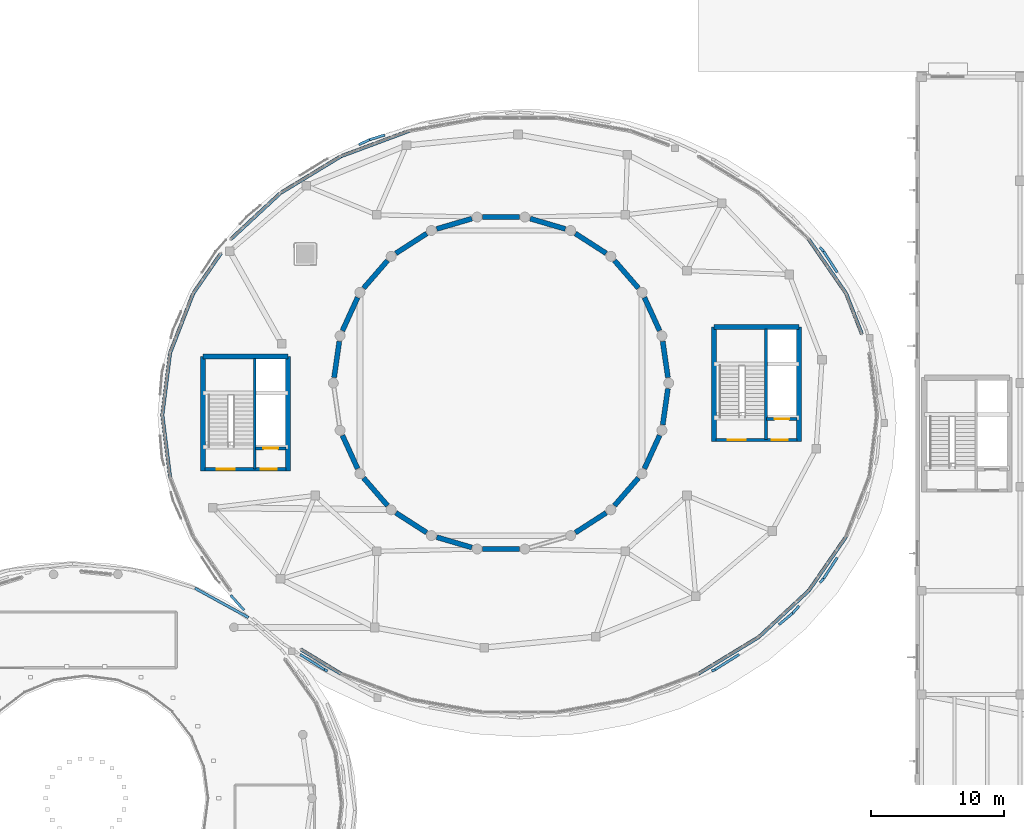
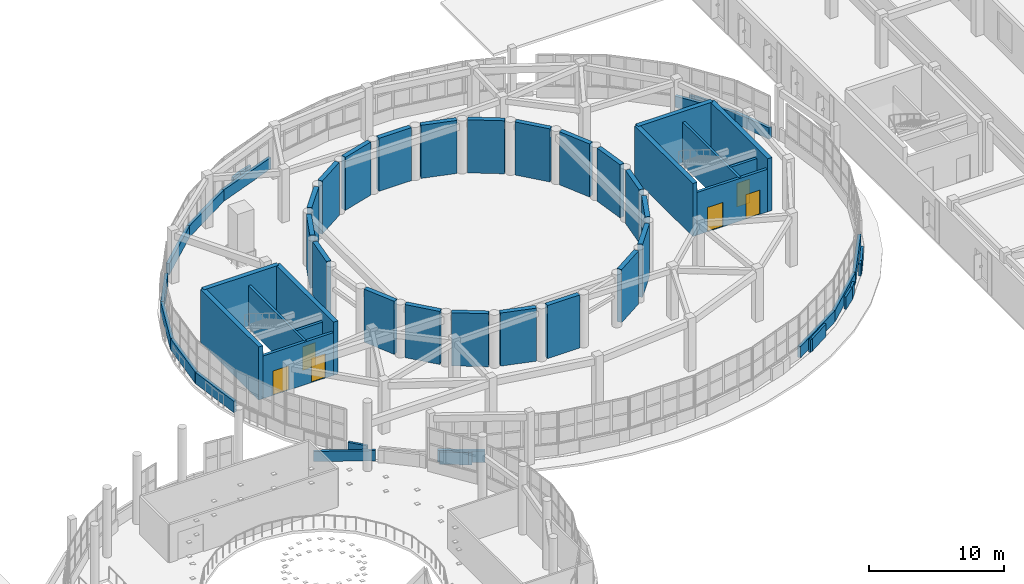
# One storey, part 92 of 105: 59 walls, 6 doors, 6 openings.
"""IFC4 building model written with IfcOpenShell, lengths in metres."""

from ifc_helpers import new_model, si_unit, direction, frame, frame_2d, origin, place, context, subcontext, project, spatial, rectangle, extrude, material, layer, layer_set, type_object, element, fill, save


model = new_model("IFC4")

# Units and contexts
model_context = context("Model", 3, precision=1e-05, world=origin(), true_north=direction((0.0, 1.0)))
body_context = subcontext(model_context, "Body", "Model", "MODEL_VIEW")
ifc_project = project(units=[si_unit("LENGTHUNIT", "METRE"), si_unit("AREAUNIT", "SQUARE_METRE"), si_unit("VOLUMEUNIT", "CUBIC_METRE"), si_unit("PLANEANGLEUNIT", "RADIAN"), si_unit("MASSUNIT", "GRAM", prefix="KILO")], contexts=[model_context])

# Site, building, storey
site_placement = place(None, origin())
site = spatial("IfcSite", under=ifc_project, at=site_placement, CompositionType="ELEMENT")
building_placement = place(site_placement, origin())
building = spatial("IfcBuilding", under=site, at=building_placement, Name="Pelvatis Terrace Science Centre", CompositionType="ELEMENT")
storey_placement = place(building_placement, frame((0.0, 0.0, 10.199951171875)))
storey = spatial("IfcBuildingStorey", under=building, at=storey_placement, Name="L02", CompositionType="ELEMENT", Elevation=10.199951171875)

# Walls
ifc_material_1 = material(Name="White architectural precast concrete C40/50 spandrel", Category="concrete")
ifc_layer_1 = layer(ifc_material_1, 0.260009765625)
ifc_layer_set_1 = layer_set([ifc_layer_1], Name="White architectural precast concrete C40/50 spandrel")
wall_type_1 = type_object("IfcWallType", Name="WL-EXT-SPND-260", PredefinedType="SOLIDWALL", material=ifc_layer_set_1)
wall_1_placement = place(storey_placement, frame((136.3076171875, 89.49755859375, 0.0), z_axis=(0.0, 0.0, 1.0), x_axis=(-0.362229060722, 0.932089109242, 0.0)))
element("IfcWall", 1, at=wall_1_placement, inside=storey, type_object=wall_type_1, Name="V1 white spiral spandrel band 02 (L02)", PredefinedType="SOLIDWALL", context=body_context, shape_type="SweptSolid", body=[
    extrude(rectangle(XDim=3.254638671875, YDim=0.260009765625, at=frame_2d((1.62744140625, 0.0))), origin(), (0.0, 0.0, 1.0), 1.02001953125),
])
wall_2_placement = place(storey_placement, frame((135.128662109375, 92.53125, 0.0), z_axis=(0.0, 0.0, 1.0), x_axis=(-0.568222593352, 0.822874889886, 0.0)))
element("IfcWall", 2, at=wall_2_placement, inside=storey, type_object=wall_type_1, Name="V1 white spiral spandrel band 03 (L02)", PredefinedType="SOLIDWALL", context=body_context, shape_type="SweptSolid", body=[
    extrude(rectangle(XDim=4.939453125, YDim=0.260009765625, at=frame_2d((2.4697265625, 0.0))), origin(), (0.0, 0.0, 1.0), 1.02001953125),
])
wall_3_placement = place(storey_placement, frame((102.302978515625, 104.751220703125, 0.0), z_axis=(0.0, 0.0, 1.0), x_axis=(-0.93716995164, -0.348873159964, 0.0)))
element("IfcWall", 3, at=wall_3_placement, inside=storey, type_object=wall_type_1, Name="V1 white spiral spandrel band 10 (L02)", PredefinedType="SOLIDWALL", context=body_context, shape_type="SweptSolid", body=[
    extrude(rectangle(XDim=5.4716796875, YDim=0.260009765625, at=frame_2d((2.73583984375, 0.0))), origin(), (0.0, 0.0, 1.0), 1.02001953125),
])
wall_4_placement = place(storey_placement, frame((97.175048828125, 102.84228515625, 0.0), z_axis=(0.0, 0.0, 1.0), x_axis=(-0.854654271652, -0.51919753076, 0.0)))
element("IfcWall", 4, at=wall_4_placement, inside=storey, type_object=wall_type_1, Name="V1 white spiral spandrel band 11 (L02)", PredefinedType="SOLIDWALL", context=body_context, shape_type="SweptSolid", body=[
    extrude(rectangle(XDim=5.3134765625, YDim=0.260009765625, at=frame_2d((2.65673828125, 0.0))), origin(), (0.0, 0.0, 1.0), 1.02001953125),
])
wall_5_placement = place(storey_placement, frame((92.6337890625, 100.08349609375, 0.0), z_axis=(0.0, 0.0, 1.0), x_axis=(-0.732773133444, -0.680473022906, 0.0)))
element("IfcWall", 5, at=wall_5_placement, inside=storey, type_object=wall_type_1, Name="V1 white spiral spandrel band 12 (L02)", PredefinedType="SOLIDWALL", context=body_context, shape_type="SweptSolid", body=[
    extrude(rectangle(XDim=5.12548828125, YDim=0.260009765625, at=frame_2d((2.562744140625, 0.0))), origin(), (0.0, 0.0, 1.0), 1.02001953125),
])
wall_6_placement = place(storey_placement, frame((88.16162109375, 95.55859375, 0.0), z_axis=(0.0, 0.0, 1.0), x_axis=(-0.568194996878, -0.82289394549, 0.0)))
element("IfcWall", 6, at=wall_6_placement, inside=storey, type_object=wall_type_1, Name="V1 white spiral spandrel band 13 (L02)", PredefinedType="SOLIDWALL", context=body_context, shape_type="SweptSolid", body=[
    extrude(rectangle(XDim=3.678955078125, YDim=0.260009765625, at=frame_2d((1.83935546875, 0.0))), origin(), (0.0, 0.0, 1.0), 1.02001953125),
])
wall_7_placement = place(storey_placement, frame((86.0712890625, 92.53125, 0.0), z_axis=(0.0, 0.0, 1.0), x_axis=(-0.362222370207, -0.932091709287, 0.0)))
element("IfcWall", 7, at=wall_7_placement, inside=storey, type_object=wall_type_1, Name="V1 white spiral spandrel band 14 (L02)", PredefinedType="SOLIDWALL", context=body_context, shape_type="SweptSolid", body=[
    extrude(rectangle(XDim=4.788818359375, YDim=0.260009765625, at=frame_2d((2.39453125, 0.0))), origin(), (0.0, 0.0, 1.0), 1.02001953125),
])
wall_8_placement = place(storey_placement, frame((84.336669921875, 88.067626953125, 0.0), z_axis=(0.0, 0.0, 1.0), x_axis=(-0.124705358335, -0.992193818567, 0.0)))
element("IfcWall", 8, at=wall_8_placement, inside=storey, type_object=wall_type_1, Name="V1 white spiral spandrel band 15 (L02)", PredefinedType="SOLIDWALL", context=body_context, shape_type="SweptSolid", body=[
    extrude(rectangle(XDim=4.704345703125, YDim=0.260009765625, at=frame_2d((2.35205078125, 0.0))), origin(), (0.0, 0.0, 1.0), 1.02001953125),
])
wall_9_placement = place(storey_placement, frame((83.75, 83.39990234375, 0.0), z_axis=(0.0, 0.0, 1.0), x_axis=(0.124711779816, -0.992193011452, 0.0)))
element("IfcWall", 9, at=wall_9_placement, inside=storey, type_object=wall_type_1, Name="V1 white spiral spandrel band 16 (L02)", PredefinedType="SOLIDWALL", context=body_context, shape_type="SweptSolid", body=[
    extrude(rectangle(XDim=4.7041015625, YDim=0.260009765625, at=frame_2d((2.35205078125, 0.0))), origin(), (0.0, 0.0, 1.0), 1.02001953125),
])
wall_10_placement = place(storey_placement, frame((94.157958984375, 65.79052734375, 0.0), z_axis=(0.0, 0.0, 1.0), x_axis=(0.854666963431, -0.519176638168, 0.0)))
element("IfcWall", 10, at=wall_10_placement, inside=storey, type_object=wall_type_1, Name="V1 white spiral spandrel band 20 (L02)", PredefinedType="SOLIDWALL", context=body_context, shape_type="SweptSolid", body=[
    extrude(rectangle(XDim=3.530029296875, YDim=0.260009765625, at=frame_2d((1.76513671875, 0.0))), origin(), (0.0, 0.0, 1.0), 1.02001953125),
])
wall_11_placement = place(storey_placement, frame((124.02490234375, 63.957763671875, 0.0), z_axis=(0.0, 0.0, 1.0), x_axis=(0.854674659603, 0.519163968542, 0.0)))
element("IfcWall", 11, at=wall_11_placement, inside=storey, type_object=wall_type_1, Name="V1 white spiral spandrel band 26 (L02)", PredefinedType="SOLIDWALL", context=body_context, shape_type="SweptSolid", body=[
    extrude(rectangle(XDim=5.3134765625, YDim=0.260009765625, at=frame_2d((2.65673828125, 0.0))), origin(), (0.0, 0.0, 1.0), 1.02001953125),
])
wall_12_placement = place(storey_placement, frame((128.566162109375, 66.71630859375, 0.0), z_axis=(0.0, 0.0, 1.0), x_axis=(0.732773133444, 0.680473022906, 0.0)))
element("IfcWall", 12, at=wall_12_placement, inside=storey, type_object=wall_type_1, Name="V1 white spiral spandrel band 27 (L02)", PredefinedType="SOLIDWALL", context=body_context, shape_type="SweptSolid", body=[
    extrude(rectangle(XDim=5.12548828125, YDim=0.260009765625, at=frame_2d((2.562744140625, 0.0))), origin(), (0.0, 0.0, 1.0), 1.02001953125),
])
wall_13_placement = place(storey_placement, frame((132.322021484375, 70.2041015625, 0.0), z_axis=(0.0, 0.0, 1.0), x_axis=(0.568199482785, 0.822890848025, 0.0)))
element("IfcWall", 13, at=wall_13_placement, inside=storey, type_object=wall_type_1, Name="V1 white spiral spandrel band 28 (L02)", PredefinedType="SOLIDWALL", context=body_context, shape_type="SweptSolid", body=[
    extrude(rectangle(XDim=4.939453125, YDim=0.260009765625, at=frame_2d((2.4697265625, 0.0))), origin(), (0.0, 0.0, 1.0), 1.02001953125),
])
ifc_material_2 = material(Name="Concrete C35/45 shaft dividing wall", Category="concrete")
ifc_layer_2 = layer(ifc_material_2, 0.2099609375)
ifc_layer_set_2 = layer_set([ifc_layer_2], Name="Concrete C35/45 shaft dividing wall")
wall_type_2 = type_object("IfcWallType", Name="WL-INT-CORE-210", PredefinedType="PARTITIONING", material=ifc_layer_set_2)
wall_14_placement = place(storey_placement, frame((90.699951171875, 79.35009765625, 0.0), z_axis=(0.0, 0.0, 1.0), x_axis=(0.0, 1.0, 0.0)))
element("IfcWall", 14, at=wall_14_placement, inside=storey, type_object=wall_type_2, Name="Core C1 stair-lift shaft fire wall (L02)", PredefinedType="PARTITIONING", context=body_context, shape_type="SweptSolid", body=[
    extrude(rectangle(XDim=8.2998046875, YDim=0.2099609375, at=frame_2d((4.14990234375, 0.0))), origin(), (0.0, 0.0, 1.0), 3.860107421875),
])
wall_15_placement = place(storey_placement, frame((129.10009765625, 81.550048828125, 0.0), z_axis=(0.0, 0.0, 1.0), x_axis=(0.0, 1.0, 0.0)))
element("IfcWall", 15, at=wall_15_placement, inside=storey, type_object=wall_type_2, Name="Core C2 stair-lift shaft fire wall (L02)", PredefinedType="PARTITIONING", context=body_context, shape_type="SweptSolid", body=[
    extrude(rectangle(XDim=8.300048828125, YDim=0.2099609375, at=frame_2d((4.14990234375, 0.0))), origin(), (0.0, 0.0, 1.0), 3.860107421875),
])

# Wall, opening, door
ifc_material_3 = material(Name="Concrete C35/45 stair enclosure wall", Category="concrete")
ifc_layer_3 = layer(ifc_material_3, 0.22509765625)
ifc_layer_set_3 = layer_set([ifc_layer_3], Name="Concrete C35/45 stair enclosure wall")
wall_type_3 = type_object("IfcWallType", Name="WL-INT-CORE-225", PredefinedType="PARTITIONING", material=ifc_layer_set_3)
wall_16_placement = place(storey_placement, frame((90.75, 80.89990234375, 0.0), z_axis=(0.0, 0.0, 1.0), x_axis=(1.0, 0.0, 0.0)))
wall_16 = element("IfcWall", 16, at=wall_16_placement, inside=storey, type_object=wall_type_3, Name="Core C1 lift shaft landing wall (L02)", PredefinedType="PARTITIONING", context=body_context, shape_type="SweptSolid", body=[
    extrude(rectangle(XDim=2.300048828125, YDim=0.22509765625, at=frame_2d((1.14990234375, 0.0))), origin(), (0.0, 0.0, 1.0), 3.860107421875),
])
opening_1_placement = place(wall_16_placement, frame((0.60009765625, 0.0, 0.0)))
opening_1 = element("IfcOpeningElement", 17, at=opening_1_placement, cuts=wall_16, Name="Opening LD-C1-4", PredefinedType="OPENING", context=body_context, shape_type="SweptSolid", body=[
    extrude(rectangle(XDim=1.10009765625, YDim=2.14990234375, at=frame_2d((0.550048828125, 1.074951171875))), frame((0.0, 0.12255859375, 0.0), z_axis=(0.0, -1.0, 0.0), x_axis=(1.0, 0.0, 0.0)), (0.0, 0.0, 1.0), 0.2451171875),
])
ifc_material_4 = material(Name="Stainless steel sliding fire-fighting lift landing door", Category="steel")
door_type_1 = type_object("IfcDoorType", Name="DR-LIFT-1100x2150", OperationType="NOTDEFINED", PredefinedType="DOOR", material=ifc_material_4)
door_1_placement = place(opening_1_placement, origin())
door_1 = element("IfcDoor", 18, at=door_1_placement, inside=storey, type_object=door_type_1, Name="Lift LF-01 sliding landing door (L02)", OperationType="SLIDING_TO_RIGHT", OverallHeight=2.14990234375, OverallWidth=1.10009765625, PredefinedType="DOOR", context=body_context, shape_type="SweptSolid", body=[
    extrude(rectangle(XDim=1.10009765625, YDim=2.14990234375, at=frame_2d((0.550048828125, 1.074951171875))), frame((0.0, 0.02490234375, 0.0), z_axis=(0.0, -1.0, 0.0), x_axis=(1.0, 0.0, 0.0)), (0.0, 0.0, 1.0), 0.050048828125),
])
fill(opening_1, door_1)

wall_17_placement = place(storey_placement, frame((129.14990234375, 83.10009765625, 0.0), z_axis=(0.0, 0.0, 1.0), x_axis=(1.0, 0.0, 0.0)))
wall_17 = element("IfcWall", 19, at=wall_17_placement, inside=storey, type_object=wall_type_3, Name="Core C2 lift shaft landing wall (L02)", PredefinedType="PARTITIONING", context=body_context, shape_type="SweptSolid", body=[
    extrude(rectangle(XDim=2.300048828125, YDim=0.22509765625, at=frame_2d((1.14990234375, 0.0))), origin(), (0.0, 0.0, 1.0), 3.860107421875),
])
opening_2_placement = place(wall_17_placement, frame((0.60009765625, 0.0, 0.0)))
opening_2 = element("IfcOpeningElement", 20, at=opening_2_placement, cuts=wall_17, Name="Opening LD-C2-4", PredefinedType="OPENING", context=body_context, shape_type="SweptSolid", body=[
    extrude(rectangle(XDim=1.10009765625, YDim=2.14990234375, at=frame_2d((0.550048828125, 1.074951171875))), frame((0.0, 0.12255859375, 0.0), z_axis=(0.0, -1.0, 0.0), x_axis=(1.0, 0.0, 0.0)), (0.0, 0.0, 1.0), 0.2451171875),
])
door_2_placement = place(opening_2_placement, origin())
door_2 = element("IfcDoor", 21, at=door_2_placement, inside=storey, type_object=door_type_1, Name="Lift LF-02 sliding landing door (L02)", OperationType="SLIDING_TO_RIGHT", OverallHeight=2.14990234375, OverallWidth=1.10009765625, PredefinedType="DOOR", context=body_context, shape_type="SweptSolid", body=[
    extrude(rectangle(XDim=1.10009765625, YDim=2.14990234375, at=frame_2d((0.550048828125, 1.074951171875))), frame((0.0, 0.02490234375, 0.0), z_axis=(0.0, -1.0, 0.0), x_axis=(1.0, 0.0, 0.0)), (0.0, 0.0, 1.0), 0.050048828125),
])
fill(opening_2, door_2)

# Wall, openings, doors
ifc_material_5 = material(Name="Concrete C35/45 shaft enclosure wall", Category="concrete")
ifc_layer_4 = layer(ifc_material_5, 0.239990234375)
ifc_layer_set_4 = layer_set([ifc_layer_4], Name="Concrete C35/45 shaft enclosure wall")
wall_type_4 = type_object("IfcWallType", Name="WL-INT-CORE-240", PredefinedType="PARTITIONING", material=ifc_layer_set_4)
wall_18_placement = place(storey_placement, frame((86.949951171875, 79.320068359375, 0.0), z_axis=(0.0, 0.0, 1.0), x_axis=(1.0, 0.0, 0.0)))
wall_18 = element("IfcWall", 22, at=wall_18_placement, inside=storey, type_object=wall_type_4, Name="Core C1 fire-rated lobby wall (L02)", PredefinedType="PARTITIONING", context=body_context, shape_type="SweptSolid", body=[
    extrude(rectangle(XDim=6.10009765625, YDim=0.239990234375, at=frame_2d((3.050048828125, 0.0))), origin(), (0.0, 0.0, 1.0), 3.860107421875),
])
opening_3_placement = place(wall_18_placement, frame((0.89990234375, 0.0, 0.0)))
opening_3 = element("IfcOpeningElement", 23, at=opening_3_placement, cuts=wall_18, Name="Opening D-107", PredefinedType="OPENING", context=body_context, shape_type="SweptSolid", body=[
    extrude(rectangle(XDim=1.35009765625, YDim=2.199951171875, at=frame_2d((0.675048828125, 1.10009765625))), frame((0.0, 0.1298828125, 0.0), z_axis=(0.0, -1.0, 0.0), x_axis=(1.0, 0.0, 0.0)), (0.0, 0.0, 1.0), 0.260009765625),
])
opening_4_placement = place(wall_18_placement, frame((4.199951171875, 0.0, 0.0)))
opening_4 = element("IfcOpeningElement", 24, at=opening_4_placement, cuts=wall_18, Name="Opening D-108", PredefinedType="OPENING", context=body_context, shape_type="SweptSolid", body=[
    extrude(rectangle(XDim=1.199951171875, YDim=2.199951171875, at=frame_2d((0.60009765625, 1.10009765625))), frame((0.0, 0.1298828125, 0.0), z_axis=(0.0, -1.0, 0.0), x_axis=(1.0, 0.0, 0.0)), (0.0, 0.0, 1.0), 0.260009765625),
])
ifc_material_6 = material(Name="Steel fire-rated exit stair door", Category="steel")
door_type_2 = type_object("IfcDoorType", Name="DR-STAIR-1200x2200", OperationType="NOTDEFINED", PredefinedType="DOOR", material=ifc_material_6)
door_3_placement = place(opening_4_placement, origin())
door_3 = element("IfcDoor", 25, at=door_3_placement, inside=storey, type_object=door_type_2, Name="Core C1 lift lobby fire door (L02)", OperationType="SINGLE_SWING_LEFT", OverallHeight=2.199951171875, OverallWidth=1.199951171875, PredefinedType="DOOR", context=body_context, shape_type="SweptSolid", body=[
    extrude(rectangle(XDim=1.199951171875, YDim=2.199951171875, at=frame_2d((0.60009765625, 1.10009765625))), frame((0.0, 0.02490234375, 0.0), z_axis=(0.0, -1.0, 0.0), x_axis=(1.0, 0.0, 0.0)), (0.0, 0.0, 1.0), 0.050048828125),
])
fill(opening_4, door_3)
ifc_material_7 = material(Name="Steel fire-rated protected stair door", Category="steel")
door_type_3 = type_object("IfcDoorType", Name="DR-STAIR-1350x2200", OperationType="NOTDEFINED", PredefinedType="DOOR", material=ifc_material_7)
door_4_placement = place(opening_3_placement, origin())
door_4 = element("IfcDoor", 26, at=door_4_placement, inside=storey, type_object=door_type_3, Name="Core C1 protected stair fire door (L02)", OperationType="SINGLE_SWING_RIGHT", OverallHeight=2.199951171875, OverallWidth=1.35009765625, PredefinedType="DOOR", context=body_context, shape_type="SweptSolid", body=[
    extrude(rectangle(XDim=1.35009765625, YDim=2.199951171875, at=frame_2d((0.675048828125, 1.10009765625))), frame((0.0, 0.02490234375, 0.0), z_axis=(0.0, -1.0, 0.0), x_axis=(1.0, 0.0, 0.0)), (0.0, 0.0, 1.0), 0.050048828125),
])
fill(opening_3, door_4)

wall_19_placement = place(storey_placement, frame((125.35009765625, 81.52001953125, 0.0), z_axis=(0.0, 0.0, 1.0), x_axis=(1.0, 0.0, 0.0)))
wall_19 = element("IfcWall", 27, at=wall_19_placement, inside=storey, type_object=wall_type_4, Name="Core C2 fire-rated lobby wall (L02)", PredefinedType="PARTITIONING", context=body_context, shape_type="SweptSolid", body=[
    extrude(rectangle(XDim=6.099853515625, YDim=0.239990234375, at=frame_2d((3.0498046875, 0.0))), origin(), (0.0, 0.0, 1.0), 3.860107421875),
])
opening_5_placement = place(wall_19_placement, frame((0.89990234375, 0.0, 0.0)))
opening_5 = element("IfcOpeningElement", 28, at=opening_5_placement, cuts=wall_19, Name="Opening D-121", PredefinedType="OPENING", context=body_context, shape_type="SweptSolid", body=[
    extrude(rectangle(XDim=1.35009765625, YDim=2.199951171875, at=frame_2d((0.675048828125, 1.10009765625))), frame((0.0, 0.1298828125, 0.0), z_axis=(0.0, -1.0, 0.0), x_axis=(1.0, 0.0, 0.0)), (0.0, 0.0, 1.0), 0.260009765625),
])
opening_6_placement = place(wall_19_placement, frame((4.199951171875, 0.0, 0.0)))
opening_6 = element("IfcOpeningElement", 29, at=opening_6_placement, cuts=wall_19, Name="Opening D-122", PredefinedType="OPENING", context=body_context, shape_type="SweptSolid", body=[
    extrude(rectangle(XDim=1.199951171875, YDim=2.199951171875, at=frame_2d((0.60009765625, 1.10009765625))), frame((0.0, 0.1298828125, 0.0), z_axis=(0.0, -1.0, 0.0), x_axis=(1.0, 0.0, 0.0)), (0.0, 0.0, 1.0), 0.260009765625),
])
door_5_placement = place(opening_6_placement, origin())
door_5 = element("IfcDoor", 30, at=door_5_placement, inside=storey, type_object=door_type_2, Name="Core C2 lift lobby fire door (L02)", OperationType="SINGLE_SWING_LEFT", OverallHeight=2.199951171875, OverallWidth=1.199951171875, PredefinedType="DOOR", context=body_context, shape_type="SweptSolid", body=[
    extrude(rectangle(XDim=1.199951171875, YDim=2.199951171875, at=frame_2d((0.60009765625, 1.10009765625))), frame((0.0, 0.02490234375, 0.0), z_axis=(0.0, -1.0, 0.0), x_axis=(1.0, 0.0, 0.0)), (0.0, 0.0, 1.0), 0.050048828125),
])
fill(opening_6, door_5)
door_6_placement = place(opening_5_placement, origin())
door_6 = element("IfcDoor", 31, at=door_6_placement, inside=storey, type_object=door_type_3, Name="Core C2 protected stair fire door (L02)", OperationType="SINGLE_SWING_RIGHT", OverallHeight=2.199951171875, OverallWidth=1.35009765625, PredefinedType="DOOR", context=body_context, shape_type="SweptSolid", body=[
    extrude(rectangle(XDim=1.35009765625, YDim=2.199951171875, at=frame_2d((0.675048828125, 1.10009765625))), frame((0.0, 0.02490234375, 0.0), z_axis=(0.0, -1.0, 0.0), x_axis=(1.0, 0.0, 0.0)), (0.0, 0.0, 1.0), 0.050048828125),
])
fill(opening_5, door_6)

# Walls
ifc_material_8 = material(Name="White architectural precast concrete C40/50 spandrel parapet", Category="concrete")
ifc_layer_5 = layer(ifc_material_8, 0.18994140625)
ifc_layer_set_5 = layer_set([ifc_layer_5], Name="White architectural precast concrete C40/50 spandrel parapet")
wall_type_5 = type_object("IfcWallType", Name="WL-PAR-190", PredefinedType="PARAPET", material=ifc_layer_set_5)
wall_20_placement = place(storey_placement, frame((98.52197265625, 103.71728515625, 0.0), z_axis=(0.0, 0.0, 1.0), x_axis=(0.909318572974, 0.416100628268, 0.0)))
element("IfcWall", 32, at=wall_20_placement, inside=storey, type_object=wall_type_5, Name="Perimeter edge closure parapet PW-EDG-L02-253", PredefinedType="PARAPET", context=body_context, shape_type="SweptSolid", body=[
    extrude(rectangle(XDim=0.880126953125, YDim=0.18994140625, at=frame_2d((0.43994140625, 0.0))), origin(), (0.0, 0.0, 1.0), 1.1201171875),
])
wall_21_placement = place(storey_placement, frame((99.322265625, 104.08349609375, 0.0), z_axis=(0.0, 0.0, 1.0), x_axis=(0.954469129989, 0.298309704668, 0.0)))
element("IfcWall", 33, at=wall_21_placement, inside=storey, type_object=wall_type_5, Name="Perimeter edge closure parapet PW-EDG-L02-254", PredefinedType="PARAPET", context=body_context, shape_type="SweptSolid", body=[
    extrude(rectangle(XDim=1.201416015625, YDim=0.18994140625, at=frame_2d((0.6005859375, 0.0))), origin(), (0.0, 0.0, 1.0), 1.1201171875),
])
wall_22_placement = place(storey_placement, frame((133.163330078125, 95.993408203125, 0.0), z_axis=(0.0, 0.0, 1.0), x_axis=(0.666075390679, -0.745884423977, 0.0)))
element("IfcWall", 34, at=wall_22_placement, inside=storey, type_object=wall_type_5, Name="Perimeter edge closure parapet PW-EDG-L02-265", PredefinedType="PARAPET", context=body_context, shape_type="SweptSolid", body=[
    extrude(rectangle(XDim=0.40673828125, YDim=0.18994140625, at=frame_2d((0.203369140625, 0.0))), origin(), (0.0, 0.0, 1.0), 1.1201171875),
])
for number, where, z_axis, x_axis, name in (
    (35, (133.434326171875, 95.68994140625, 0.0), (0.0, 0.0, 1.0), (0.545874943644, -0.837866663558, 0.0), "Perimeter edge closure parapet PW-EDG-L02-266"),
    (36, (134.458984375, 72.682861328125, 0.0), (0.0, 0.0, 1.0), (-0.545874943644, -0.837866663558, 0.0), "Perimeter edge closure parapet PW-EDG-L02-275"),
):
    element("IfcWall", number, at=place(storey_placement, frame(where, z_axis=z_axis, x_axis=x_axis)), inside=storey, type_object=wall_type_5, Name=name, PredefinedType="PARAPET", context=body_context, shape_type="SweptSolid", body=[
        extrude(rectangle(XDim=1.877197265625, YDim=0.18994140625, at=frame_2d((0.9384765625, 0.0))), origin(), (0.0, 0.0, 1.0), 1.1201171875),
    ])
wall_23_placement = place(storey_placement, frame((133.434326171875, 71.110107421875, 0.0), z_axis=(0.0, 0.0, 1.0), x_axis=(-0.666075390679, -0.745884423977, 0.0)))
element("IfcWall", 37, at=wall_23_placement, inside=storey, type_object=wall_type_5, Name="Perimeter edge closure parapet PW-EDG-L02-276", PredefinedType="PARAPET", context=body_context, shape_type="SweptSolid", body=[
    extrude(rectangle(XDim=0.40673828125, YDim=0.18994140625, at=frame_2d((0.203369140625, 0.0))), origin(), (0.0, 0.0, 1.0), 1.1201171875),
])
wall_24_placement = place(storey_placement, frame((131.60009765625, 69.05615234375, 0.0), z_axis=(0.0, 0.0, 1.0), x_axis=(-0.666128902502, -0.745836634426, 0.0)))
element("IfcWall", 38, at=wall_24_placement, inside=storey, type_object=wall_type_5, Name="Perimeter edge closure parapet PW-EDG-L02-277", PredefinedType="PARAPET", context=body_context, shape_type="SweptSolid", body=[
    extrude(rectangle(XDim=0.72900390625, YDim=0.18994140625, at=frame_2d((0.364501953125, 0.0))), origin(), (0.0, 0.0, 1.0), 1.1201171875),
])
wall_25_placement = place(storey_placement, frame((131.114501953125, 68.512451171875, 0.0), z_axis=(0.0, 0.0, 1.0), x_axis=(-0.766261000546, -0.64252943827, 0.0)))
element("IfcWall", 39, at=wall_25_placement, inside=storey, type_object=wall_type_5, Name="Perimeter edge closure parapet PW-EDG-L02-278", PredefinedType="PARAPET", context=body_context, shape_type="SweptSolid", body=[
    extrude(rectangle(XDim=1.33984375, YDim=0.18994140625, at=frame_2d((0.669921875, 0.0))), origin(), (0.0, 0.0, 1.0), 1.1201171875),
])
wall_26_placement = place(storey_placement, frame((127.092529296875, 65.41162109375, 0.0), z_axis=(0.0, 0.0, 1.0), x_axis=(-0.847030714317, -0.531543948328, 0.0)))
element("IfcWall", 40, at=wall_26_placement, inside=storey, type_object=wall_type_5, Name="Perimeter edge closure parapet PW-EDG-L02-279", PredefinedType="PARAPET", context=body_context, shape_type="SweptSolid", body=[
    extrude(rectangle(XDim=2.1435546875, YDim=0.18994140625, at=frame_2d((1.07177734375, 0.0))), origin(), (0.0, 0.0, 1.0), 1.1201171875),
])
for number, where, z_axis, x_axis, name in (
    (41, (125.27685546875, 64.272216796875, 0.0), (0.0, 0.0, 1.0), (-0.909612833814, -0.415456968362, 0.0), "Perimeter edge closure parapet PW-EDG-L02-280"),
    (42, (96.165771484375, 64.161376953125, 0.0), (0.0, 0.0, 1.0), (-0.909612833814, 0.415456968362, 0.0), "Perimeter edge closure parapet PW-EDG-L02-289"),
):
    element("IfcWall", number, at=place(storey_placement, frame(where, z_axis=z_axis, x_axis=x_axis)), inside=storey, type_object=wall_type_5, Name=name, PredefinedType="PARAPET", context=body_context, shape_type="SweptSolid", body=[
        extrude(rectangle(XDim=0.266845703125, YDim=0.18994140625, at=frame_2d((0.13330078125, 0.0))), origin(), (0.0, 0.0, 1.0), 1.1201171875),
    ])
wall_27_placement = place(storey_placement, frame((95.923095703125, 64.272216796875, 0.0), z_axis=(0.0, 0.0, 1.0), x_axis=(-0.847010554562, 0.53157607213, 0.0)))
element("IfcWall", 43, at=wall_27_placement, inside=storey, type_object=wall_type_5, Name="Perimeter edge closure parapet PW-EDG-L02-290", PredefinedType="PARAPET", context=body_context, shape_type="SweptSolid", body=[
    extrude(rectangle(XDim=2.1416015625, YDim=0.18994140625, at=frame_2d((1.07080078125, 0.0))), origin(), (0.0, 0.0, 1.0), 1.1201171875),
])
wall_28_placement = place(storey_placement, frame((89.88525390625, 68.73681640625, 0.0), z_axis=(0.0, 0.0, 1.0), x_axis=(-0.66615173115, 0.745816244853, 0.0)))
element("IfcWall", 44, at=wall_28_placement, inside=storey, type_object=wall_type_5, Name="Perimeter edge closure parapet PW-EDG-L02-293", PredefinedType="PARAPET", context=body_context, shape_type="SweptSolid", body=[
    extrude(rectangle(XDim=1.49853515625, YDim=0.18994140625, at=frame_2d((0.749267578125, 0.0))), origin(), (0.0, 0.0, 1.0), 1.1201171875),
])
ifc_material_9 = material(Name="White architectural precast concrete C40/50 spandrel parapet", Category="concrete")
ifc_layer_6 = layer(ifc_material_9, 0.205078125)
ifc_layer_set_6 = layer_set([ifc_layer_6], Name="White architectural precast concrete C40/50 spandrel parapet")
wall_type_6 = type_object("IfcWallType", Name="WL-PAR-205", PredefinedType="PARAPET", material=ifc_layer_set_6)
wall_29_placement = place(storey_placement, frame((90.23046875, 68.179443359375, 0.0), z_axis=(0.0, 0.0, 1.0), x_axis=(-0.876799384048, 0.480856361227, 0.0)))
element("IfcWall", 45, at=wall_29_placement, inside=storey, type_object=wall_type_6, Name="White spiral ring parapet PW-CRV-L02-099", PredefinedType="PARAPET", context=body_context, shape_type="SweptSolid", body=[
    extrude(rectangle(XDim=4.5888671875, YDim=0.205078125, at=frame_2d((2.29443359375, 0.0))), origin(), (0.0, 0.0, 1.0), 0.920166015625),
])
ifc_material_10 = material(Name="Concrete C40/50", Category="concrete")
ifc_layer_7 = layer(ifc_material_10, 0.3798828125)
ifc_layer_set_7 = layer_set([ifc_layer_7], Name="Concrete C40/50")
wall_type_7 = type_object("IfcWallType", Name="WL-SHR-380", PredefinedType="SHEAR", material=ifc_layer_set_7)
wall_30_placement = place(storey_placement, frame((86.800048828125, 87.800048828125, 0.0), z_axis=(0.0, 0.0, 1.0), x_axis=(1.0, 0.0, 0.0)))
element("IfcWall", 46, at=wall_30_placement, inside=storey, type_object=wall_type_7, Name="Core C1 shear wall N (L02)", PredefinedType="SHEAR", context=body_context, shape_type="SweptSolid", body=[
    extrude(rectangle(XDim=6.39990234375, YDim=0.3798828125, at=frame_2d((3.199951171875, 0.0))), origin(), (0.0, 0.0, 1.0), 4.800048828125),
])
for number, where, z_axis, x_axis, name in (
    (47, (86.800048828125, 79.199951171875, 0.0), (0.0, 0.0, 1.0), (0.0, 1.0, 0.0), "Core C1 shear wall W (L02)"),
    (48, (93.199951171875, 79.199951171875, 0.0), (0.0, 0.0, 1.0), (0.0, 1.0, 0.0), "Core C1 shear wall E (L02)"),
):
    element("IfcWall", number, at=place(storey_placement, frame(where, z_axis=z_axis, x_axis=x_axis)), inside=storey, type_object=wall_type_7, Name=name, PredefinedType="SHEAR", context=body_context, shape_type="SweptSolid", body=[
        extrude(rectangle(XDim=8.60009765625, YDim=0.3798828125, at=frame_2d((4.300048828125, 0.0))), origin(), (0.0, 0.0, 1.0), 4.800048828125),
    ])
wall_31_placement = place(storey_placement, frame((125.199951171875, 90.0, 0.0), z_axis=(0.0, 0.0, 1.0), x_axis=(1.0, 0.0, 0.0)))
element("IfcWall", 49, at=wall_31_placement, inside=storey, type_object=wall_type_7, Name="Core C2 shear wall N (L02)", PredefinedType="SHEAR", context=body_context, shape_type="SweptSolid", body=[
    extrude(rectangle(XDim=6.400146484375, YDim=0.3798828125, at=frame_2d((3.2001953125, 0.0))), origin(), (0.0, 0.0, 1.0), 4.800048828125),
])
for number, where, z_axis, x_axis, name in (
    (50, (125.199951171875, 81.39990234375, 0.0), (0.0, 0.0, 1.0), (0.0, 1.0, 0.0), "Core C2 shear wall W (L02)"),
    (51, (131.60009765625, 81.39990234375, 0.0), (0.0, 0.0, 1.0), (0.0, 1.0, 0.0), "Core C2 shear wall E (L02)"),
):
    element("IfcWall", number, at=place(storey_placement, frame(where, z_axis=z_axis, x_axis=x_axis)), inside=storey, type_object=wall_type_7, Name=name, PredefinedType="SHEAR", context=body_context, shape_type="SweptSolid", body=[
        extrude(rectangle(XDim=8.60009765625, YDim=0.3798828125, at=frame_2d((4.300048828125, 0.0))), origin(), (0.0, 0.0, 1.0), 4.800048828125),
    ])
for number, where, z_axis, x_axis, name in (
    (52, (121.740234375, 86.2158203125, 0.0), (0.0, 0.0, 1.0), (-0.142329860809, 0.98981928185, 0.0), "Planetarium shear drum wall 01 (L02)"),
    (53, (121.114990234375, 89.731689453125, 0.0), (0.0, 0.0, 1.0), (-0.415322734661, 0.909674131804, 0.0), "Planetarium shear drum wall 02 (L02)"),
    (54, (119.52490234375, 92.929443359375, 0.0), (0.0, 0.0, 1.0), (-0.654903462799, 0.755712547476, 0.0), "Planetarium shear drum wall 03 (L02)"),
):
    element("IfcWall", number, at=place(storey_placement, frame(where, z_axis=z_axis, x_axis=x_axis)), inside=storey, type_object=wall_type_7, Name=name, PredefinedType="SHEAR", context=body_context, shape_type="SweptSolid", body=[
        extrude(rectangle(XDim=2.746337890625, YDim=0.3798828125, at=frame_2d((1.373046875, 0.0))), origin(), (0.0, 0.0, 1.0), 4.800048828125),
    ])
wall_32_placement = place(storey_placement, frame((117.097900390625, 95.549560546875, 0.0), z_axis=(0.0, 0.0, 1.0), x_axis=(-0.841273782563, 0.54060930696, 0.0)))
element("IfcWall", 55, at=wall_32_placement, inside=storey, type_object=wall_type_7, Name="Planetarium shear drum wall 04 (L02)", PredefinedType="SHEAR", context=body_context, shape_type="SweptSolid", body=[
    extrude(rectangle(XDim=2.74609375, YDim=0.3798828125, at=frame_2d((1.373046875, 0.0))), origin(), (0.0, 0.0, 1.0), 4.800048828125),
])
for number, where, z_axis, x_axis, name in (
    (56, (114.03125, 97.379638671875, 0.0), (0.0, 0.0, 1.0), (-0.959471601157, 0.281805334538, 0.0), "Planetarium shear drum wall 05 (L02)"),
    (57, (110.5732421875, 98.271728515625, 0.0), (0.0, 0.0, 1.0), (-1.0, 0.0, 0.0), "Planetarium shear drum wall 06 (L02)"),
    (58, (107.00390625, 98.153564453125, 0.0), (0.0, 0.0, 1.0), (-0.959471601157, -0.281805334538, 0.0), "Planetarium shear drum wall 07 (L02)"),
    (59, (103.612548828125, 97.0341796875, 0.0), (0.0, 0.0, 1.0), (-0.841299761826, -0.540568876972, 0.0), "Planetarium shear drum wall 08 (L02)"),
    (60, (100.673828125, 95.0048828125, 0.0), (0.0, 0.0, 1.0), (-0.654903462799, -0.755712547476, 0.0), "Planetarium shear drum wall 09 (L02)"),
    (61, (98.42578125, 92.22998046875, 0.0), (0.0, 0.0, 1.0), (-0.415396292762, -0.909640544369, 0.0), "Planetarium shear drum wall 10 (L02)"),
):
    element("IfcWall", number, at=place(storey_placement, frame(where, z_axis=z_axis, x_axis=x_axis)), inside=storey, type_object=wall_type_7, Name=name, PredefinedType="SHEAR", context=body_context, shape_type="SweptSolid", body=[
        extrude(rectangle(XDim=2.746337890625, YDim=0.3798828125, at=frame_2d((1.373046875, 0.0))), origin(), (0.0, 0.0, 1.0), 4.800048828125),
    ])
wall_33_placement = place(storey_placement, frame((97.050537109375, 88.93408203125, 0.0), z_axis=(0.0, 0.0, 1.0), x_axis=(-0.142242759485, -0.989831802568, 0.0)))
element("IfcWall", 62, at=wall_33_placement, inside=storey, type_object=wall_type_7, Name="Planetarium shear drum wall 11 (L02)", PredefinedType="SHEAR", context=body_context, shape_type="SweptSolid", body=[
    extrude(rectangle(XDim=2.74609375, YDim=0.3798828125, at=frame_2d((1.373046875, 0.0))), origin(), (0.0, 0.0, 1.0), 4.800048828125),
])
for number, where, z_axis, x_axis, name in (
    (63, (97.284912109375, 81.8681640625, 0.0), (0.0, 0.0, 1.0), (0.415396292762, -0.909640544369, 0.0), "Planetarium shear drum wall 13 (L02)"),
    (64, (98.875244140625, 78.67041015625, 0.0), (0.0, 0.0, 1.0), (0.654903462799, -0.755712547476, 0.0), "Planetarium shear drum wall 14 (L02)"),
):
    element("IfcWall", number, at=place(storey_placement, frame(where, z_axis=z_axis, x_axis=x_axis)), inside=storey, type_object=wall_type_7, Name=name, PredefinedType="SHEAR", context=body_context, shape_type="SweptSolid", body=[
        extrude(rectangle(XDim=2.746337890625, YDim=0.3798828125, at=frame_2d((1.373046875, 0.0))), origin(), (0.0, 0.0, 1.0), 4.800048828125),
    ])
wall_34_placement = place(storey_placement, frame((101.302001953125, 76.050537109375, 0.0), z_axis=(0.0, 0.0, 1.0), x_axis=(0.841259333828, -0.540631790822, 0.0)))
element("IfcWall", 65, at=wall_34_placement, inside=storey, type_object=wall_type_7, Name="Planetarium shear drum wall 15 (L02)", PredefinedType="SHEAR", context=body_context, shape_type="SweptSolid", body=[
    extrude(rectangle(XDim=2.74658203125, YDim=0.3798828125, at=frame_2d((1.373291015625, 0.0))), origin(), (0.0, 0.0, 1.0), 4.800048828125),
])
for number, where, z_axis, x_axis, name in (
    (66, (104.368896484375, 74.22021484375, 0.0), (0.0, 0.0, 1.0), (0.959495634771, -0.281723493615, 0.0), "Planetarium shear drum wall 16 (L02)"),
    (67, (107.826904296875, 73.328125, 0.0), (0.0, 0.0, 1.0), (1.0, 0.0, 0.0), "Planetarium shear drum wall 17 (L02)"),
    (68, (114.78759765625, 74.565673828125, 0.0), (0.0, 0.0, 1.0), (0.841233349766, 0.540672221629, 0.0), "Planetarium shear drum wall 19 (L02)"),
    (69, (117.726318359375, 76.594970703125, 0.0), (0.0, 0.0, 1.0), (0.654903462799, 0.755712547476, 0.0), "Planetarium shear drum wall 20 (L02)"),
    (70, (119.974365234375, 79.369873046875, 0.0), (0.0, 0.0, 1.0), (0.415322734661, 0.909674131804, 0.0), "Planetarium shear drum wall 21 (L02)"),
    (71, (121.349365234375, 82.666015625, 0.0), (0.0, 0.0, 1.0), (0.142329860809, 0.98981928185, 0.0), "Planetarium shear drum wall 22 (L02)"),
):
    element("IfcWall", number, at=place(storey_placement, frame(where, z_axis=z_axis, x_axis=x_axis)), inside=storey, type_object=wall_type_7, Name=name, PredefinedType="SHEAR", context=body_context, shape_type="SweptSolid", body=[
        extrude(rectangle(XDim=2.746337890625, YDim=0.3798828125, at=frame_2d((1.373046875, 0.0))), origin(), (0.0, 0.0, 1.0), 4.800048828125),
    ])

save(model, "model.ifc")
